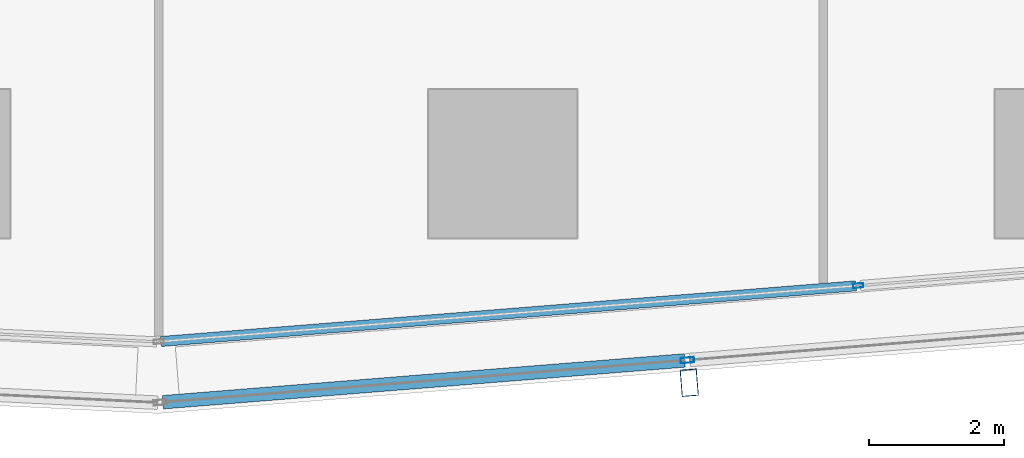
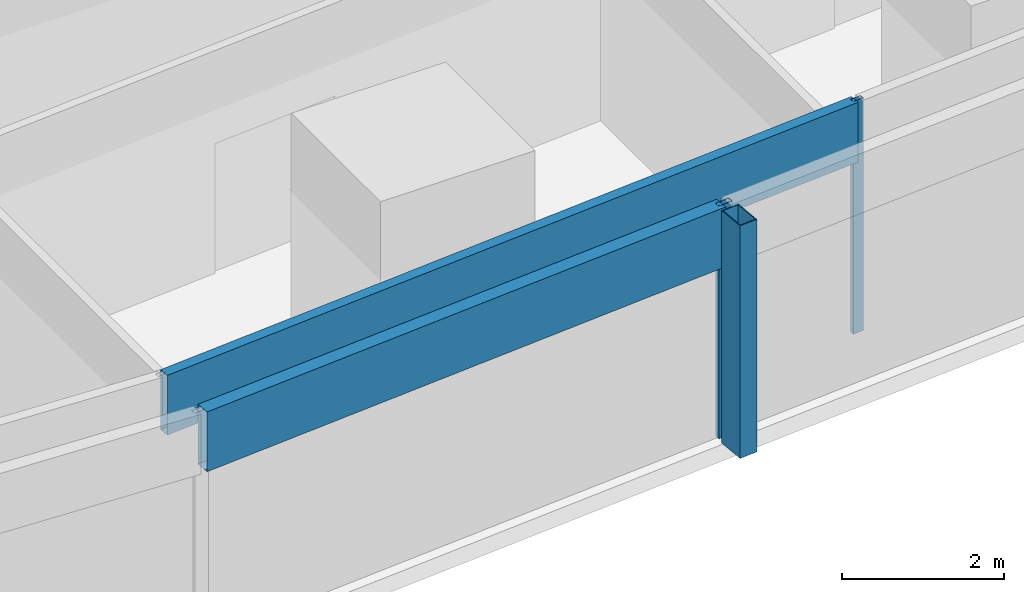
# One storey, part 10 of 42: 5 members, 2 elements without a shape of their own.
"""IFC4 building model written with IfcOpenShell, lengths in metres."""

from ifc_helpers import new_model, si_unit, direction, frame, origin, origin_2d, place, context, subcontext, project, spatial, hollow_rectangle, extrude, material, material_profile, profile_set, type_object, element, aggregate, save


model = new_model("IFC4")

# Units and contexts
model_context = context("Model", 3, precision=1e-05, world=origin(), true_north=direction((0.0, 1.0)))
body_context = subcontext(model_context, "Body", "Model", "MODEL_VIEW")
ifc_project = project(units=[si_unit("LENGTHUNIT", "METRE"), si_unit("AREAUNIT", "SQUARE_METRE"), si_unit("VOLUMEUNIT", "CUBIC_METRE"), si_unit("PLANEANGLEUNIT", "RADIAN"), si_unit("MASSUNIT", "GRAM", prefix="KILO")], contexts=[model_context])

# Site, building, storey
site_placement = place(None, origin())
site = spatial("IfcSite", under=ifc_project, at=site_placement, CompositionType="ELEMENT")
building_placement = place(site_placement, origin())
building = spatial("IfcBuilding", under=site, at=building_placement, Name="Rekha Terrace Tower", CompositionType="ELEMENT")
storey_placement = place(building_placement, frame((0.0, 0.0, 70.39990234375)))
storey = spatial("IfcBuildingStorey", under=building, at=storey_placement, Name="L17", CompositionType="ELEMENT", Elevation=70.39990234375)

# Curtain wall, member
ifc_material_1 = material(Name="Aluminium framing", Category="aluminium")
curtain_wall_type_1 = type_object("IfcCurtainWallType", Name="CW2 double skin outer glazing", PredefinedType="USERDEFINED", material=ifc_material_1)
curtain_wall_1_placement = place(storey_placement, origin())
curtain_wall_1 = element("IfcCurtainWall", 1, at=curtain_wall_1_placement, inside=storey, type_object=curtain_wall_type_1, Name="CW2 double skin outer glazing", ObjectType="DOUBLE SKIN OUTER GLAZING", PredefinedType="USERDEFINED")
ifc_material_2 = material(Name="Steel S355 with fluorocarbon finish", Category="steel")
ifc_material_profile_1 = material_profile(ifc_material_2, hollow_rectangle(XDim=0.25, YDim=0.39990234375, WallThickness=0.012451171875, at=origin_2d()), Name="RHS400x250x12.5")
ifc_profile_set_1 = profile_set([ifc_material_profile_1], Name="Steel S355 with fluorocarbon finish")
member_type_1 = type_object("IfcMemberType", Name="BL1 facade blade RHS 400 x 250", PredefinedType="USERDEFINED", material=ifc_profile_set_1)
member_1_placement = place(storey_placement, frame((53.16748046875, 5.15576171875, 0.0), z_axis=(0.0, 0.0, 1.0), x_axis=(0.996805139821, 0.079871855039, 0.0)))
member_1 = element("IfcMember", 2, at=member_1_placement, type_object=member_type_1, Name="Facade blade", ObjectType="FACADE BLADE", PredefinedType="USERDEFINED", context=body_context, shape_type="SweptSolid", body=[
    extrude(hollow_rectangle(XDim=0.25, YDim=0.39990234375, WallThickness=0.012451171875, at=origin_2d()), origin(), (0.0, 0.0, 1.0), 3.5),
])

# Curtain wall, members
curtain_wall_type_2 = type_object("IfcCurtainWallType", Name="CW1 double skin inner glazing", PredefinedType="USERDEFINED", material=ifc_material_1)
curtain_wall_2_placement = place(storey_placement, origin())
curtain_wall_2 = element("IfcCurtainWall", 3, at=curtain_wall_2_placement, inside=storey, type_object=curtain_wall_type_2, Name="CW1 double skin inner glazing", ObjectType="DOUBLE SKIN INNER GLAZING", PredefinedType="USERDEFINED")
ifc_material_3 = material(Name="Aluminium mullion section", Category="aluminium")
ifc_material_profile_2 = material_profile(ifc_material_3, hollow_rectangle(XDim=0.06494140625, YDim=0.14990234375, WallThickness=0.00390625, at=origin_2d()), Name="AL RHS 65x150")
ifc_profile_set_2 = profile_set([ifc_material_profile_2], Name="Aluminium mullion section")
member_type_2 = type_object("IfcMemberType", Name="CW1 mullion RHS 65 x 150", PredefinedType="MULLION", material=ifc_profile_set_2)
member_2_placement = place(storey_placement, frame((55.672119140625, 6.595458984375, 0.0), z_axis=(0.0, 0.0, 1.0), x_axis=(-0.079872204468, 0.996805111821, 0.0)))
member_2 = element("IfcMember", 4, at=member_2_placement, type_object=member_type_2, Name="CW1 mullion 2", PredefinedType="MULLION", context=body_context, shape_type="SweptSolid", body=[
    extrude(hollow_rectangle(XDim=0.06494140625, YDim=0.14990234375, WallThickness=0.00390625, at=origin_2d()), origin(), (0.0, 0.0, 1.0), 3.5),
])
ifc_material_4 = material(Name="Insulated aluminium spandrel box", Category="aluminium")
ifc_material_profile_3 = material_profile(ifc_material_4, hollow_rectangle(XDim=0.14990234375, YDim=0.89990234375, WallThickness=0.0029296875, at=origin_2d()), Name="AL SPANDREL BOX 150x900")
ifc_profile_set_3 = profile_set([ifc_material_profile_3], Name="Insulated aluminium spandrel box")
member_type_3 = type_object("IfcMemberType", Name="CW1 spandrel transom 150 x 900", PredefinedType="USERDEFINED", material=ifc_profile_set_3)
member_3_placement = place(storey_placement, frame((45.33642578125, 5.767333984375, 3.050048828125), z_axis=(0.996806184606, 0.079858814989, 0.0), x_axis=(-0.079858814989, 0.996806184606, 0.0)))
member_3 = element("IfcMember", 5, at=member_3_placement, type_object=member_type_3, Name="CW1 spandrel transom 1", ObjectType="TRANSOM", PredefinedType="USERDEFINED", context=body_context, shape_type="SweptSolid", body=[
    extrude(hollow_rectangle(XDim=0.14990234375, YDim=0.89990234375, WallThickness=0.0029296875, at=origin_2d()), origin(), (0.0, 0.0, 1.0), 10.336181640625),
])
aggregate(curtain_wall_2, [member_2, member_3])

# Member
ifc_material_profile_4 = material_profile(ifc_material_3, hollow_rectangle(XDim=0.080078125, YDim=0.199951171875, WallThickness=0.00390625, at=origin_2d()), Name="AL RHS 80x200")
ifc_profile_set_4 = profile_set([ifc_material_profile_4], Name="Aluminium mullion section")
member_type_4 = type_object("IfcMemberType", Name="CW2 mullion RHS 80 x 200", PredefinedType="MULLION", material=ifc_profile_set_4)
member_4_placement = place(storey_placement, frame((53.140869140625, 5.48974609375, 0.0), z_axis=(0.0, 0.0, 1.0), x_axis=(-0.079872204468, 0.996805111821, 0.0)))
member_4 = element("IfcMember", 6, at=member_4_placement, type_object=member_type_4, Name="CW2 mullion 2", PredefinedType="MULLION", context=body_context, shape_type="SweptSolid", body=[
    extrude(hollow_rectangle(XDim=0.080078125, YDim=0.199951171875, WallThickness=0.00390625, at=origin_2d()), origin(), (0.0, 0.0, 1.0), 3.5),
])

ifc_material_profile_5 = material_profile(ifc_material_4, hollow_rectangle(XDim=0.199951171875, YDim=0.89990234375, WallThickness=0.0029296875, at=origin_2d()), Name="AL SPANDREL BOX 200x900")
ifc_profile_set_5 = profile_set([ifc_material_profile_5], Name="Insulated aluminium spandrel box")
member_type_5 = type_object("IfcMemberType", Name="CW2 spandrel transom 200 x 900", PredefinedType="USERDEFINED", material=ifc_profile_set_5)
member_5_placement = place(storey_placement, frame((45.365234375, 4.86669921875, 3.050048828125), z_axis=(0.996804766607, 0.079876512622, 0.0), x_axis=(-0.079876512622, 0.996804766607, 0.0)))
member_5 = element("IfcMember", 7, at=member_5_placement, type_object=member_type_5, Name="CW2 spandrel transom 1", ObjectType="TRANSOM", PredefinedType="USERDEFINED", context=body_context, shape_type="SweptSolid", body=[
    extrude(hollow_rectangle(XDim=0.199951171875, YDim=0.89990234375, WallThickness=0.0029296875, at=origin_2d()), origin(), (0.0, 0.0, 1.0), 7.760498046875),
])

aggregate(curtain_wall_1, [member_4, member_5, member_1])

save(model, "model.ifc")
